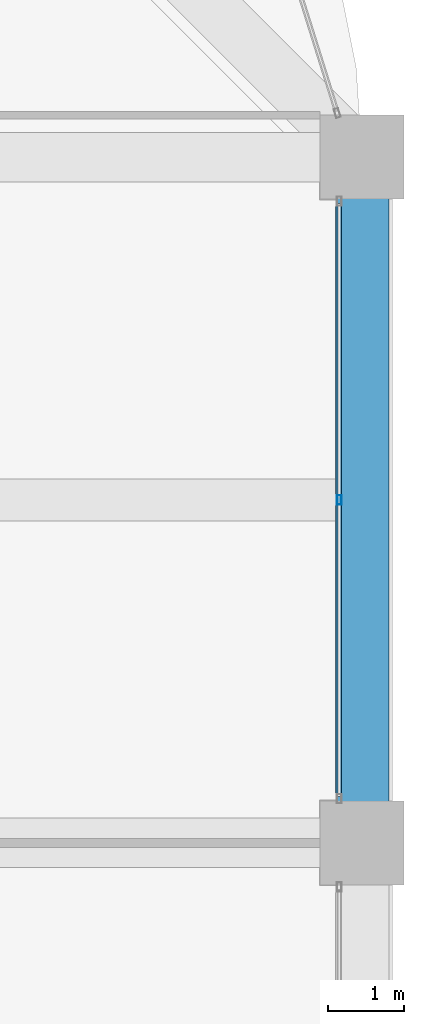
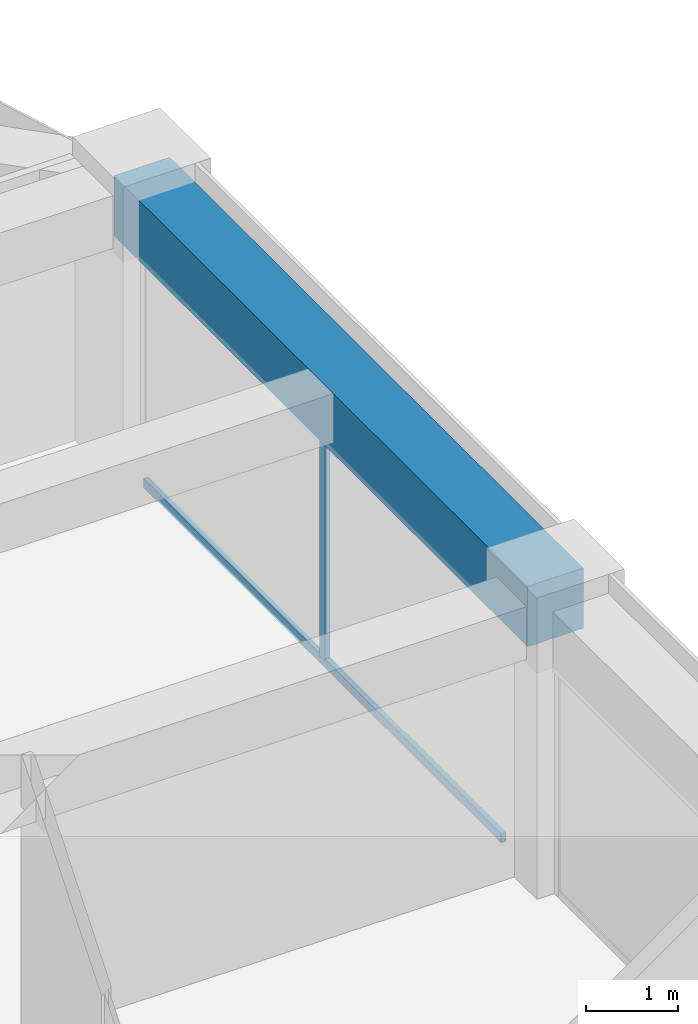
# One storey, part 27 of 44: 2 members, 1 beam, 1 element without a shape of its own.
"""IFC4 building model written with IfcOpenShell, lengths in metres."""

from ifc_helpers import new_model, si_unit, direction, frame, origin, origin_2d, place, context, subcontext, project, spatial, rectangle, hollow_rectangle, extrude, material, material_profile, profile_set, type_object, element, aggregate, save


model = new_model("IFC4")

# Units and contexts
model_context = context("Model", 3, precision=1e-05, world=origin(), true_north=direction((0.0, 1.0)))
body_context = subcontext(model_context, "Body", "Model", "MODEL_VIEW")
ifc_project = project(units=[si_unit("LENGTHUNIT", "METRE"), si_unit("AREAUNIT", "SQUARE_METRE"), si_unit("VOLUMEUNIT", "CUBIC_METRE"), si_unit("PLANEANGLEUNIT", "RADIAN"), si_unit("MASSUNIT", "GRAM", prefix="KILO")], contexts=[model_context])

# Site, building, storey
site_placement = place(None, origin())
site = spatial("IfcSite", under=ifc_project, at=site_placement, CompositionType="ELEMENT")
building_placement = place(site_placement, origin())
building = spatial("IfcBuilding", under=site, at=building_placement, Name="Zorevar Civic Tower", CompositionType="ELEMENT")
storey_placement = place(building_placement, frame((0.0, 0.0, 263.39990234375)))
storey = spatial("IfcBuildingStorey", under=building, at=storey_placement, Name="L64", CompositionType="ELEMENT", Elevation=263.39990234375)

# Curtain wall, members
ifc_material_1 = material(Name="Dark grey solar-control glass in black aluminium frame", Category="aluminium")
curtain_wall_type = type_object("IfcCurtainWallType", Name="Curtain wall CW5 top zone", PredefinedType="NOTDEFINED", material=ifc_material_1)
curtain_wall_placement = place(storey_placement, origin())
curtain_wall = element("IfcCurtainWall", 1, at=curtain_wall_placement, inside=storey, type_object=curtain_wall_type, Name="CW5 L64", PredefinedType="NOTDEFINED")
ifc_material_2 = material(Name="Aluminium, black anodised", Category="aluminium")
ifc_material_profile_1 = material_profile(ifc_material_2, hollow_rectangle(XDim=0.06005859375, YDim=0.1201171875, WallThickness=0.0029296875, at=origin_2d()), Name="AL 120x60x3")
ifc_profile_set_1 = profile_set([ifc_material_profile_1], Name="Aluminium, black anodised")
member_type_1 = type_object("IfcMemberType", Name="CW5 mullion AL 120x60x3", PredefinedType="MULLION", material=ifc_profile_set_1)
member_1_placement = place(storey_placement, frame((53.699951171875, 31.5, 0.06005859375), z_axis=(0.0, 0.0, 1.0), x_axis=(-1.0, 0.0, 0.0)))
member_1 = element("IfcMember", 2, at=member_1_placement, type_object=member_type_1, Name="CW5 mullion 2", PredefinedType="MULLION", context=body_context, shape_type="SweptSolid", body=[
    extrude(hollow_rectangle(XDim=0.06005859375, YDim=0.1201171875, WallThickness=0.0029296875, at=origin_2d()), origin(), (0.0, 0.0, 1.0), 2.89013671875),
])
ifc_material_3 = material(Name="Aluminium, black anodised", Category="aluminium")
ifc_material_profile_2 = material_profile(ifc_material_3, hollow_rectangle(XDim=0.06005859375, YDim=0.1201171875, WallThickness=0.0029296875, at=origin_2d()), Name="AL 120x60x3")
ifc_profile_set_2 = profile_set([ifc_material_profile_2], Name="Aluminium, black anodised")
member_type_2 = type_object("IfcMemberType", Name="CW5 transom AL 120x60x3", PredefinedType="USERDEFINED", material=ifc_profile_set_2)
member_2_placement = place(storey_placement, frame((53.699951171875, 27.610107421875, 0.030029296875), z_axis=(0.0, 1.0, 0.0), x_axis=(-1.0, 0.0, 0.0)))
member_2 = element("IfcMember", 3, at=member_2_placement, type_object=member_type_2, Name="CW5 sill transom", ObjectType="TRANSOM", PredefinedType="USERDEFINED", context=body_context, shape_type="SweptSolid", body=[
    extrude(hollow_rectangle(XDim=0.06005859375, YDim=0.1201171875, WallThickness=0.0029296875, at=origin_2d()), origin(), (0.0, 0.0, 1.0), 7.77978515625),
])
aggregate(curtain_wall, [member_1, member_2])

# Beam
ifc_material_4 = material(Name="Concrete C50/60", Category="concrete")
ifc_material_profile_3 = material_profile(ifc_material_4, rectangle(XDim=0.699951171875, YDim=0.800048828125, at=origin_2d()), Name="RC 700x800")
ifc_profile_set_3 = profile_set([ifc_material_profile_3], Name="Concrete C50/60")
beam_type = type_object("IfcBeamType", Name="Edge beam RC 700x800", PredefinedType="SPANDREL", material=ifc_profile_set_3)
beam_placement = place(storey_placement, frame((54.0, 27.0, 3.35009765625), z_axis=(0.0, 1.0, 0.0), x_axis=(-1.0, 0.0, 0.0)))
element("IfcBeam", 4, at=beam_placement, inside=storey, type_object=beam_type, Name="Edge beam L65", PredefinedType="SPANDREL", context=body_context, shape_type="SweptSolid", body=[
    extrude(rectangle(XDim=0.699951171875, YDim=0.800048828125, at=origin_2d()), origin(), (0.0, 0.0, 1.0), 9.0),
])

save(model, "model.ifc")
